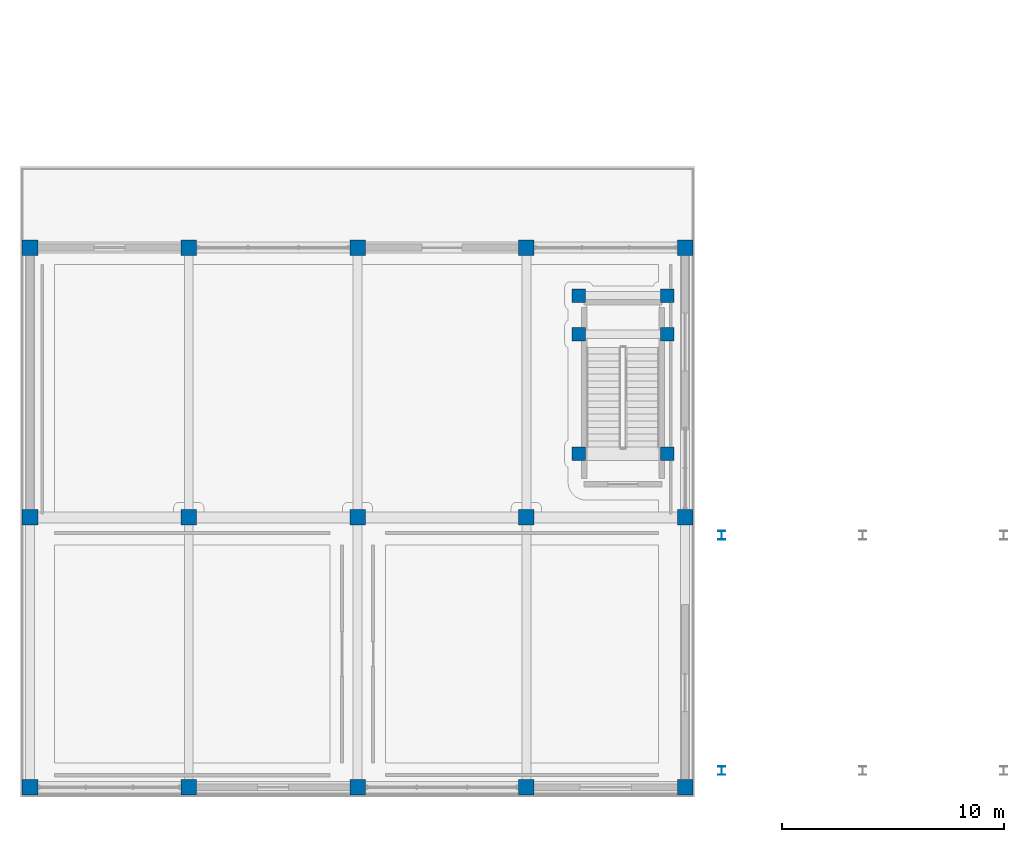
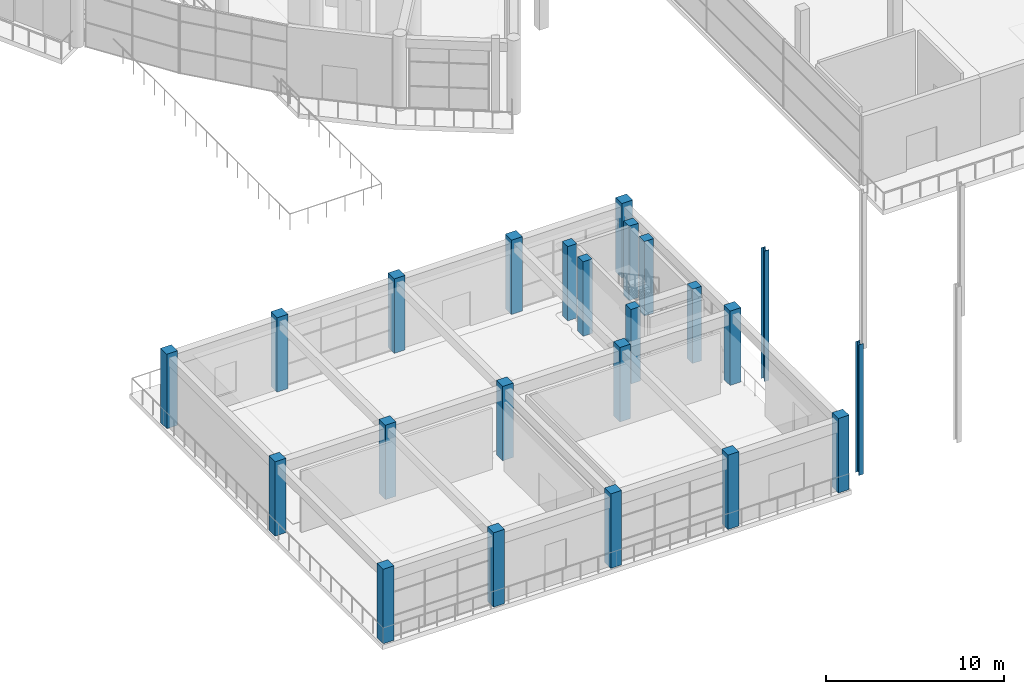
# One storey, part 1 of 99: 23 columns.
"""IFC4 building model written with IfcOpenShell, lengths in metres."""

from ifc_helpers import new_model, si_unit, direction, frame, origin, origin_2d, place, context, subcontext, project, spatial, rectangle, i_section, extrude, material, material_profile, profile_set, type_object, element, save


model = new_model("IFC4")

# Units and contexts
model_context = context("Model", 3, precision=1e-05, world=origin(), true_north=direction((0.0, 1.0)))
body_context = subcontext(model_context, "Body", "Model", "MODEL_VIEW")
ifc_project = project(units=[si_unit("LENGTHUNIT", "METRE"), si_unit("AREAUNIT", "SQUARE_METRE"), si_unit("VOLUMEUNIT", "CUBIC_METRE"), si_unit("PLANEANGLEUNIT", "RADIAN"), si_unit("MASSUNIT", "GRAM", prefix="KILO")], contexts=[model_context])

# Site, building, storey
site_placement = place(None, origin())
site = spatial("IfcSite", under=ifc_project, at=site_placement, CompositionType="ELEMENT")
building_placement = place(site_placement, origin())
building = spatial("IfcBuilding", under=site, at=building_placement, Name="Saryqyr Civic Hall", CompositionType="ELEMENT")
storey_placement = place(building_placement, origin())
storey = spatial("IfcBuildingStorey", under=building, at=storey_placement, Name="L00", CompositionType="ELEMENT", Elevation=0.0)

# Columns
ifc_material_1 = material(Name="Steel S355", Category="steel")
ifc_material_profile_1 = material_profile(ifc_material_1, i_section(OverallWidth=0.300048828125, OverallDepth=0.389892578125, WebThickness=0.010986328125, FlangeThickness=0.01904296875, at=origin_2d()), Name="HEA 400")
ifc_profile_set_1 = profile_set([ifc_material_profile_1], Name="Steel S355")
column_type_1 = type_object("IfcColumnType", Name="STR-COL-HEA400-S355", PredefinedType="COLUMN", material=ifc_profile_set_1)
for number, where, z_axis, x_axis, name in (
    (1, (31.60009765625, 1.199951171875, 0.0), (0.0, 0.0, 1.0), (1.0, 0.0, 0.0), "Column V7C-COL-11-L00"),
    (2, (31.60009765625, 11.800048828125, 0.0), (0.0, 0.0, 1.0), (1.0, 0.0, 0.0), "Column V7C-COL-12-L00"),
):
    element("IfcColumn", number, at=place(storey_placement, frame(where, z_axis=z_axis, x_axis=x_axis)), inside=storey, type_object=column_type_1, Name=name, PredefinedType="COLUMN", context=body_context, shape_type="SweptSolid", body=[
        extrude(i_section(OverallWidth=0.300048828125, OverallDepth=0.389892578125, WebThickness=0.010986328125, FlangeThickness=0.01904296875, at=origin_2d()), origin(), (0.0, 0.0, 1.0), 8.949951171875),
    ])
ifc_material_2 = material(Name="Concrete C40/50", Category="concrete")
ifc_material_profile_2 = material_profile(ifc_material_2, rectangle(XDim=0.60009765625, YDim=0.60009765625, at=origin_2d()), Name="RC 600x600")
ifc_profile_set_2 = profile_set([ifc_material_profile_2], Name="Concrete C40/50")
column_type_2 = type_object("IfcColumnType", Name="STR-COL-RC600-C40", PredefinedType="COLUMN", material=ifc_profile_set_2)
for number, where, z_axis, x_axis, name in (
    (3, (29.139892578125, 15.465087890625, 0.0), (0.0, 0.0, 1.0), (1.0, 0.0, 0.0), "Column ST-7-SCOL-TRMA-L00"),
    (4, (25.159912109375, 15.465087890625, 0.0), (0.0, 0.0, 1.0), (1.0, 0.0, 0.0), "Column ST-7-SCOL-TRMB-L00"),
    (5, (29.139892578125, 20.85009765625, 0.0), (0.0, 0.0, 1.0), (1.0, 0.0, 0.0), "Column ST-7-SCOL-LND1A-L00"),
    (6, (25.159912109375, 20.85009765625, 0.0), (0.0, 0.0, 1.0), (1.0, 0.0, 0.0), "Column ST-7-SCOL-LND1B-L00"),
    (7, (29.139892578125, 22.580078125, 0.0), (0.0, 0.0, 1.0), (1.0, 0.0, 0.0), "Column ST-7-SCOL-LND2A-L00"),
    (8, (25.159912109375, 22.580078125, 0.0), (0.0, 0.0, 1.0), (1.0, 0.0, 0.0), "Column ST-7-SCOL-LND2B-L00"),
):
    element("IfcColumn", number, at=place(storey_placement, frame(where, z_axis=z_axis, x_axis=x_axis)), inside=storey, type_object=column_type_2, Name=name, PredefinedType="COLUMN", context=body_context, shape_type="SweptSolid", body=[
        extrude(rectangle(XDim=0.60009765625, YDim=0.60009765625, at=origin_2d()), origin(), (0.0, 0.0, 1.0), 5.10009765625),
    ])
ifc_material_profile_3 = material_profile(ifc_material_2, rectangle(XDim=0.699951171875, YDim=0.699951171875, at=origin_2d()), Name="RC 700x700")
ifc_profile_set_3 = profile_set([ifc_material_profile_3], Name="Concrete C40/50")
column_type_3 = type_object("IfcColumnType", Name="STR-COL-RC700-C40", PredefinedType="COLUMN", material=ifc_profile_set_3)
for number, where, z_axis, x_axis, name in (
    (9, (0.449951171875, 0.449951171875, 0.0), (0.0, 0.0, 1.0), (1.0, 0.0, 0.0), "Column V7W-COL-11-L00"),
    (10, (0.449951171875, 12.60009765625, 0.0), (0.0, 0.0, 1.0), (1.0, 0.0, 0.0), "Column V7W-COL-12-L00"),
    (11, (0.449951171875, 24.75, 0.0), (0.0, 0.0, 1.0), (1.0, 0.0, 0.0), "Column V7W-COL-13-L00"),
    (12, (7.60009765625, 0.449951171875, 0.0), (0.0, 0.0, 1.0), (1.0, 0.0, 0.0), "Column V7W-COL-21-L00"),
    (13, (7.60009765625, 12.60009765625, 0.0), (0.0, 0.0, 1.0), (1.0, 0.0, 0.0), "Column V7W-COL-22-L00"),
    (14, (7.60009765625, 24.75, 0.0), (0.0, 0.0, 1.0), (1.0, 0.0, 0.0), "Column V7W-COL-23-L00"),
    (15, (15.199951171875, 0.449951171875, 0.0), (0.0, 0.0, 1.0), (1.0, 0.0, 0.0), "Column V7W-COL-31-L00"),
    (16, (15.199951171875, 12.60009765625, 0.0), (0.0, 0.0, 1.0), (1.0, 0.0, 0.0), "Column V7W-COL-32-L00"),
    (17, (15.199951171875, 24.75, 0.0), (0.0, 0.0, 1.0), (1.0, 0.0, 0.0), "Column V7W-COL-33-L00"),
    (18, (22.800048828125, 0.449951171875, 0.0), (0.0, 0.0, 1.0), (1.0, 0.0, 0.0), "Column V7W-COL-41-L00"),
    (19, (22.800048828125, 12.60009765625, 0.0), (0.0, 0.0, 1.0), (1.0, 0.0, 0.0), "Column V7W-COL-42-L00"),
    (20, (22.800048828125, 24.75, 0.0), (0.0, 0.0, 1.0), (1.0, 0.0, 0.0), "Column V7W-COL-43-L00"),
    (21, (29.949951171875, 0.449951171875, 0.0), (0.0, 0.0, 1.0), (1.0, 0.0, 0.0), "Column V7W-COL-51-L00"),
    (22, (29.949951171875, 12.60009765625, 0.0), (0.0, 0.0, 1.0), (1.0, 0.0, 0.0), "Column V7W-COL-52-L00"),
    (23, (29.949951171875, 24.75, 0.0), (0.0, 0.0, 1.0), (1.0, 0.0, 0.0), "Column V7W-COL-53-L00"),
):
    element("IfcColumn", number, at=place(storey_placement, frame(where, z_axis=z_axis, x_axis=x_axis)), inside=storey, type_object=column_type_3, Name=name, PredefinedType="COLUMN", context=body_context, shape_type="SweptSolid", body=[
        extrude(rectangle(XDim=0.699951171875, YDim=0.699951171875, at=origin_2d()), origin(), (0.0, 0.0, 1.0), 5.10009765625),
    ])

save(model, "model.ifc")
